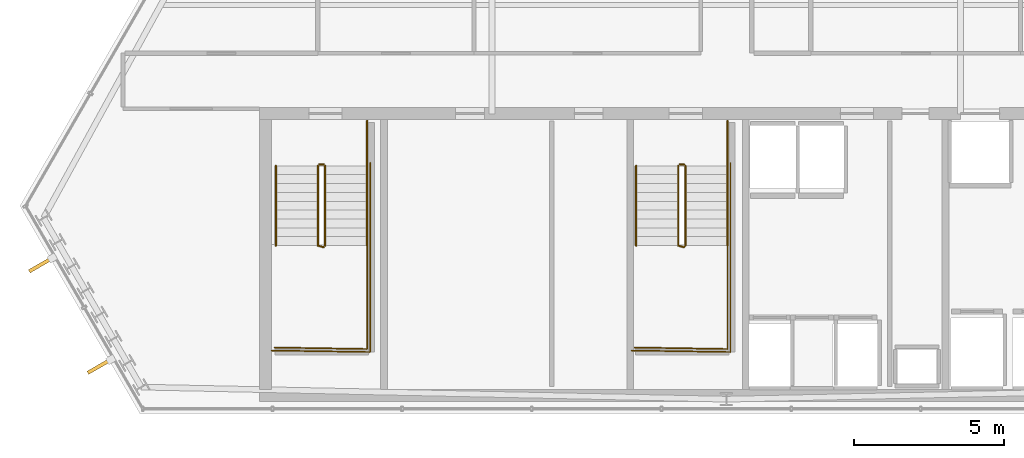
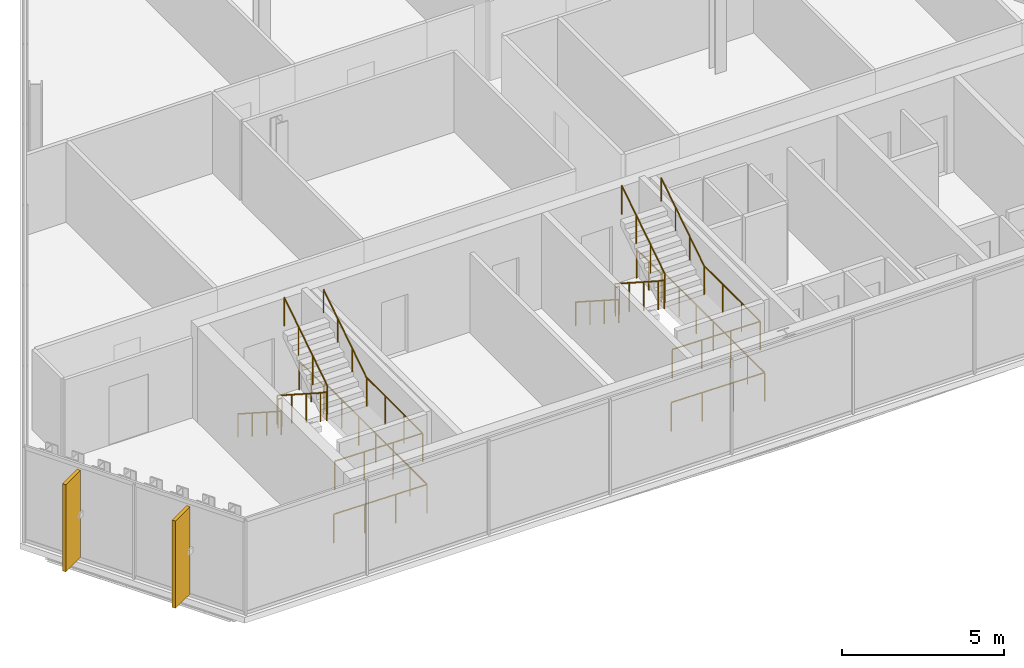
# One storey, part 27 of 30: 16 railings, 2 shading devices.
"""IFC4 building model written with IfcOpenShell, lengths in metres."""

from ifc_helpers import new_model, si_unit, direction, frame, origin, origin_2d, place, context, subcontext, project, spatial, rectangle, circle, extrude, material, layer, layer_set, type_object, element, save


model = new_model("IFC4")

# Units and contexts
model_context = context("Model", 3, precision=1e-05, world=origin(), true_north=direction((0.0, 1.0)))
body_context = subcontext(model_context, "Body", "Model", "MODEL_VIEW")
ifc_project = project(units=[si_unit("LENGTHUNIT", "METRE"), si_unit("AREAUNIT", "SQUARE_METRE"), si_unit("VOLUMEUNIT", "CUBIC_METRE"), si_unit("PLANEANGLEUNIT", "RADIAN"), si_unit("MASSUNIT", "GRAM", prefix="KILO")], contexts=[model_context])

# Site, building, storey
site_placement = place(None, origin())
site = spatial("IfcSite", under=ifc_project, at=site_placement, CompositionType="ELEMENT")
building_placement = place(site_placement, origin())
building = spatial("IfcBuilding", under=site, at=building_placement, Name="Ndaravel Arena Tower", CompositionType="ELEMENT")
storey_placement = place(building_placement, frame((0.0, 0.0, 221.800048828125)))
storey = spatial("IfcBuildingStorey", under=building, at=storey_placement, Name="L53", CompositionType="ELEMENT", Elevation=221.800048828125)

# Railings
ifc_material_1 = material(Name="Steel S355", Category="steel")
ifc_layer_1 = layer(ifc_material_1, 0.06005859375)
ifc_layer_set_1 = layer_set([ifc_layer_1], Name="Steel S355")
railing_type_1 = type_object("IfcRailingType", Name="RAIL-STAIR-GD1100", PredefinedType="GUARDRAIL", material=ifc_layer_set_1)
railing_1_placement = place(storey_placement, frame((28.39990234375, 13.25, 0.18994140625)))
element("IfcRailing", 1, at=railing_1_placement, inside=storey, type_object=railing_type_1, Name="L53 ST-1 stair guard 1", PredefinedType="GUARDRAIL", context=body_context, shape_type="SweptSolid", body=[
    extrude(circle(Radius=0.02392578125, at=origin_2d()), frame((0.0, 0.0, 1.076171875), z_axis=(0.0, -0.840723540582, 0.54146461409), x_axis=(1.0, 0.0, 0.0)), (0.0, 0.0, 1.0), 3.157958984375),
    extrude(circle(Radius=0.02392578125, at=origin_2d()), frame((0.0, -2.655029296875, 2.7861328125), z_axis=(0.967074537263, -0.25449329928, 0.0), x_axis=(0.25449329928, 0.967074537263, 0.0)), (0.0, 0.0, 1.0), 0.19677734375),
    extrude(circle(Radius=0.02099609375, at=origin_2d()), origin(), (0.0, 0.0, 1.0), 1.052001953125),
    extrude(circle(Radius=0.02099609375, at=origin_2d()), frame((0.0, -0.885009765625, 0.570068359375)), (0.0, 0.0, 1.0), 1.052001953125),
    extrude(circle(Radius=0.02099609375, at=origin_2d()), frame((0.0, -1.77001953125, 1.139892578125)), (0.0, 0.0, 1.0), 1.052001953125),
    extrude(circle(Radius=0.02099609375, at=origin_2d()), frame((0.0, -2.655029296875, 1.7099609375)), (0.0, 0.0, 1.0), 1.052001953125),
    extrude(circle(Radius=0.02099609375, at=origin_2d()), frame((0.190185546875, -2.705078125, 1.7099609375)), (0.0, 0.0, 1.0), 1.052001953125),
])
railing_2_placement = place(storey_placement, frame((30.0400390625, 10.594970703125, 1.89990234375)))
element("IfcRailing", 2, at=railing_2_placement, inside=storey, type_object=railing_type_1, Name="L53 ST-1 stair guard 2", PredefinedType="GUARDRAIL", context=body_context, shape_type="SweptSolid", body=[
    extrude(circle(Radius=0.02392578125, at=origin_2d()), frame((0.0, 0.0, 1.076171875), z_axis=(0.0, -1.0, 0.0), x_axis=(1.0, 0.0, 0.0)), (0.0, 0.0, 1.0), 3.445068359375),
    extrude(circle(Radius=0.02392578125, at=origin_2d()), frame((0.0, -3.445068359375, 1.076171875), z_axis=(-0.999868861343, 0.016194447071, 0.0), x_axis=(-0.016194447071, -0.999868861343, 0.0)), (0.0, 0.0, 1.0), 3.090576171875),
    extrude(circle(Radius=0.02099609375, at=origin_2d()), origin(), (0.0, 0.0, 1.0), 1.052001953125),
    extrude(circle(Radius=0.02099609375, at=origin_2d()), frame((0.0, -1.1484375, 0.0)), (0.0, 0.0, 1.0), 1.052001953125),
    extrude(circle(Radius=0.02099609375, at=origin_2d()), frame((0.0, -2.296630859375, 0.0)), (0.0, 0.0, 1.0), 1.052001953125),
    extrude(circle(Radius=0.02099609375, at=origin_2d()), frame((0.0, -3.445068359375, 0.0)), (0.0, 0.0, 1.0), 1.052001953125),
    extrude(circle(Radius=0.02099609375, at=origin_2d()), frame((-1.030029296875, -3.428466796875, 0.0)), (0.0, 0.0, 1.0), 1.052001953125),
    extrude(circle(Radius=0.02099609375, at=origin_2d()), frame((-2.06005859375, -3.41162109375, 0.0)), (0.0, 0.0, 1.0), 1.052001953125),
    extrude(circle(Radius=0.02099609375, at=origin_2d()), frame((-3.090087890625, -3.39501953125, 0.0)), (0.0, 0.0, 1.0), 1.052001953125),
])
railing_3_placement = place(storey_placement, frame((28.639892578125, 10.594970703125, 2.08984375)))
element("IfcRailing", 3, at=railing_3_placement, inside=storey, type_object=railing_type_1, Name="L53 ST-1 stair guard 3", PredefinedType="GUARDRAIL", context=body_context, shape_type="SweptSolid", body=[
    extrude(circle(Radius=0.02392578125, at=origin_2d()), frame((0.0, 0.0, 1.076171875), z_axis=(0.0, 0.840688348013, 0.541519253134), x_axis=(-1.0, 0.0, 0.0)), (0.0, 0.0, 1.0), 3.158203125),
    extrude(circle(Radius=0.02099609375, at=origin_2d()), origin(), (0.0, 0.0, 1.0), 1.052001953125),
    extrude(circle(Radius=0.02099609375, at=origin_2d()), frame((0.0, 0.885009765625, 0.570068359375)), (0.0, 0.0, 1.0), 1.052001953125),
    extrude(circle(Radius=0.02099609375, at=origin_2d()), frame((0.0, 1.77001953125, 1.14013671875)), (0.0, 0.0, 1.0), 1.052001953125),
    extrude(circle(Radius=0.02099609375, at=origin_2d()), frame((0.0, 2.655029296875, 1.710205078125)), (0.0, 0.0, 1.0), 1.052001953125),
])
railing_4_placement = place(storey_placement, frame((28.449951171875, 13.300048828125, 0.0)))
element("IfcRailing", 4, at=railing_4_placement, inside=storey, type_object=railing_type_1, Name="L53 ST-1 stair guard 4", PredefinedType="GUARDRAIL", context=body_context, shape_type="SweptSolid", body=[
    extrude(circle(Radius=0.02392578125, at=origin_2d()), frame((0.0, 0.0, 1.076171875), z_axis=(1.0, 0.0, 0.0), x_axis=(0.0, 1.0, 0.0)), (0.0, 0.0, 1.0), 0.14013671875),
    extrude(circle(Radius=0.02099609375, at=origin_2d()), origin(), (0.0, 0.0, 1.0), 1.052001953125),
    extrude(circle(Radius=0.02099609375, at=origin_2d()), frame((0.14013671875, 0.0, 0.0)), (0.0, 0.0, 1.0), 1.052001953125),
])
railing_5_placement = place(storey_placement, frame((30.0400390625, 14.75, 0.0)))
element("IfcRailing", 5, at=railing_5_placement, inside=storey, type_object=railing_type_1, Name="L53 ST-1 stair guard 5", PredefinedType="GUARDRAIL", context=body_context, shape_type="SweptSolid", body=[
    extrude(circle(Radius=0.02392578125, at=origin_2d()), frame((0.0, 0.0, 1.076171875), z_axis=(0.0, -1.0, 0.0), x_axis=(1.0, 0.0, 0.0)), (0.0, 0.0, 1.0), 1.5),
    extrude(circle(Radius=0.02099609375, at=origin_2d()), origin(), (0.0, 0.0, 1.0), 1.052001953125),
    extrude(circle(Radius=0.02099609375, at=origin_2d()), frame((0.0, -0.75, 0.0)), (0.0, 0.0, 1.0), 1.052001953125),
    extrude(circle(Radius=0.02099609375, at=origin_2d()), frame((0.0, -1.5, 0.0)), (0.0, 0.0, 1.0), 1.052001953125),
])
railing_6_placement = place(storey_placement, frame((30.139892578125, 13.35009765625, 0.0)))
element("IfcRailing", 6, at=railing_6_placement, inside=storey, type_object=railing_type_1, Name="L53 ST-1 stair guard 6", PredefinedType="GUARDRAIL", context=body_context, shape_type="SweptSolid", body=[
    extrude(circle(Radius=0.02392578125, at=origin_2d()), frame((0.0, 0.0, 1.076171875), z_axis=(0.0, -1.0, 0.0), x_axis=(1.0, 0.0, 0.0)), (0.0, 0.0, 1.0), 6.300048828125),
    extrude(circle(Radius=0.02392578125, at=origin_2d()), frame((0.0, -6.300048828125, 1.076171875), z_axis=(-0.999884296952, 0.015211597839, 0.0), x_axis=(-0.015211597839, -0.999884296952, 0.0)), (0.0, 0.0, 1.0), 3.290283203125),
    extrude(circle(Radius=0.02099609375, at=origin_2d()), origin(), (0.0, 0.0, 1.0), 1.052001953125),
    extrude(circle(Radius=0.02099609375, at=origin_2d()), frame((0.0, -1.050048828125, 0.0)), (0.0, 0.0, 1.0), 1.052001953125),
    extrude(circle(Radius=0.02099609375, at=origin_2d()), frame((0.0, -2.10009765625, 0.0)), (0.0, 0.0, 1.0), 1.052001953125),
    extrude(circle(Radius=0.02099609375, at=origin_2d()), frame((0.0, -3.14990234375, 0.0)), (0.0, 0.0, 1.0), 1.052001953125),
    extrude(circle(Radius=0.02099609375, at=origin_2d()), frame((0.0, -4.199951171875, 0.0)), (0.0, 0.0, 1.0), 1.052001953125),
    extrude(circle(Radius=0.02099609375, at=origin_2d()), frame((0.0, -5.25, 0.0)), (0.0, 0.0, 1.0), 1.052001953125),
    extrude(circle(Radius=0.02099609375, at=origin_2d()), frame((0.0, -6.300048828125, 0.0)), (0.0, 0.0, 1.0), 1.052001953125),
    extrude(circle(Radius=0.02099609375, at=origin_2d()), frame((-1.0966796875, -6.283447265625, 0.0)), (0.0, 0.0, 1.0), 1.052001953125),
    extrude(circle(Radius=0.02099609375, at=origin_2d()), frame((-2.193115234375, -6.2666015625, 0.0)), (0.0, 0.0, 1.0), 1.052001953125),
    extrude(circle(Radius=0.02099609375, at=origin_2d()), frame((-3.289794921875, -6.25, 0.0)), (0.0, 0.0, 1.0), 1.052001953125),
])
railing_7_placement = place(storey_placement, frame((40.39990234375, 13.25, 0.18994140625)))
element("IfcRailing", 7, at=railing_7_placement, inside=storey, type_object=railing_type_1, Name="L53 ST-2 stair guard 1", PredefinedType="GUARDRAIL", context=body_context, shape_type="SweptSolid", body=[
    extrude(circle(Radius=0.02392578125, at=origin_2d()), frame((0.0, 0.0, 1.076171875), z_axis=(0.0, -0.840723540582, 0.54146461409), x_axis=(1.0, 0.0, 0.0)), (0.0, 0.0, 1.0), 3.157958984375),
    extrude(circle(Radius=0.02392578125, at=origin_2d()), frame((0.0, -2.655029296875, 2.7861328125), z_axis=(0.967074537263, -0.25449329928, 0.0), x_axis=(0.25449329928, 0.967074537263, 0.0)), (0.0, 0.0, 1.0), 0.19677734375),
    extrude(circle(Radius=0.02099609375, at=origin_2d()), origin(), (0.0, 0.0, 1.0), 1.052001953125),
    extrude(circle(Radius=0.02099609375, at=origin_2d()), frame((0.0, -0.885009765625, 0.570068359375)), (0.0, 0.0, 1.0), 1.052001953125),
    extrude(circle(Radius=0.02099609375, at=origin_2d()), frame((0.0, -1.77001953125, 1.139892578125)), (0.0, 0.0, 1.0), 1.052001953125),
    extrude(circle(Radius=0.02099609375, at=origin_2d()), frame((0.0, -2.655029296875, 1.7099609375)), (0.0, 0.0, 1.0), 1.052001953125),
    extrude(circle(Radius=0.02099609375, at=origin_2d()), frame((0.190185546875, -2.705078125, 1.7099609375)), (0.0, 0.0, 1.0), 1.052001953125),
])
railing_8_placement = place(storey_placement, frame((42.0400390625, 10.594970703125, 1.89990234375)))
element("IfcRailing", 8, at=railing_8_placement, inside=storey, type_object=railing_type_1, Name="L53 ST-2 stair guard 2", PredefinedType="GUARDRAIL", context=body_context, shape_type="SweptSolid", body=[
    extrude(circle(Radius=0.02392578125, at=origin_2d()), frame((0.0, 0.0, 1.076171875), z_axis=(0.0, -1.0, 0.0), x_axis=(1.0, 0.0, 0.0)), (0.0, 0.0, 1.0), 3.445068359375),
    extrude(circle(Radius=0.02392578125, at=origin_2d()), frame((0.0, -3.445068359375, 1.076171875), z_axis=(-0.999868861343, 0.016194447071, 0.0), x_axis=(-0.016194447071, -0.999868861343, 0.0)), (0.0, 0.0, 1.0), 3.090576171875),
    extrude(circle(Radius=0.02099609375, at=origin_2d()), origin(), (0.0, 0.0, 1.0), 1.052001953125),
    extrude(circle(Radius=0.02099609375, at=origin_2d()), frame((0.0, -1.1484375, 0.0)), (0.0, 0.0, 1.0), 1.052001953125),
    extrude(circle(Radius=0.02099609375, at=origin_2d()), frame((0.0, -2.296630859375, 0.0)), (0.0, 0.0, 1.0), 1.052001953125),
    extrude(circle(Radius=0.02099609375, at=origin_2d()), frame((0.0, -3.445068359375, 0.0)), (0.0, 0.0, 1.0), 1.052001953125),
    extrude(circle(Radius=0.02099609375, at=origin_2d()), frame((-1.030029296875, -3.428466796875, 0.0)), (0.0, 0.0, 1.0), 1.052001953125),
    extrude(circle(Radius=0.02099609375, at=origin_2d()), frame((-2.06005859375, -3.41162109375, 0.0)), (0.0, 0.0, 1.0), 1.052001953125),
    extrude(circle(Radius=0.02099609375, at=origin_2d()), frame((-3.090087890625, -3.39501953125, 0.0)), (0.0, 0.0, 1.0), 1.052001953125),
])
railing_9_placement = place(storey_placement, frame((40.639892578125, 10.594970703125, 2.08984375)))
element("IfcRailing", 9, at=railing_9_placement, inside=storey, type_object=railing_type_1, Name="L53 ST-2 stair guard 3", PredefinedType="GUARDRAIL", context=body_context, shape_type="SweptSolid", body=[
    extrude(circle(Radius=0.02392578125, at=origin_2d()), frame((0.0, 0.0, 1.076171875), z_axis=(0.0, 0.840688348013, 0.541519253134), x_axis=(-1.0, 0.0, 0.0)), (0.0, 0.0, 1.0), 3.158203125),
    extrude(circle(Radius=0.02099609375, at=origin_2d()), origin(), (0.0, 0.0, 1.0), 1.052001953125),
    extrude(circle(Radius=0.02099609375, at=origin_2d()), frame((0.0, 0.885009765625, 0.570068359375)), (0.0, 0.0, 1.0), 1.052001953125),
    extrude(circle(Radius=0.02099609375, at=origin_2d()), frame((0.0, 1.77001953125, 1.14013671875)), (0.0, 0.0, 1.0), 1.052001953125),
    extrude(circle(Radius=0.02099609375, at=origin_2d()), frame((0.0, 2.655029296875, 1.710205078125)), (0.0, 0.0, 1.0), 1.052001953125),
])
railing_10_placement = place(storey_placement, frame((40.449951171875, 13.300048828125, 0.0)))
element("IfcRailing", 10, at=railing_10_placement, inside=storey, type_object=railing_type_1, Name="L53 ST-2 stair guard 4", PredefinedType="GUARDRAIL", context=body_context, shape_type="SweptSolid", body=[
    extrude(circle(Radius=0.02392578125, at=origin_2d()), frame((0.0, 0.0, 1.076171875), z_axis=(1.0, 0.0, 0.0), x_axis=(0.0, 1.0, 0.0)), (0.0, 0.0, 1.0), 0.14013671875),
    extrude(circle(Radius=0.02099609375, at=origin_2d()), origin(), (0.0, 0.0, 1.0), 1.052001953125),
    extrude(circle(Radius=0.02099609375, at=origin_2d()), frame((0.14013671875, 0.0, 0.0)), (0.0, 0.0, 1.0), 1.052001953125),
])
railing_11_placement = place(storey_placement, frame((42.0400390625, 14.75, 0.0)))
element("IfcRailing", 11, at=railing_11_placement, inside=storey, type_object=railing_type_1, Name="L53 ST-2 stair guard 5", PredefinedType="GUARDRAIL", context=body_context, shape_type="SweptSolid", body=[
    extrude(circle(Radius=0.02392578125, at=origin_2d()), frame((0.0, 0.0, 1.076171875), z_axis=(0.0, -1.0, 0.0), x_axis=(1.0, 0.0, 0.0)), (0.0, 0.0, 1.0), 1.5),
    extrude(circle(Radius=0.02099609375, at=origin_2d()), origin(), (0.0, 0.0, 1.0), 1.052001953125),
    extrude(circle(Radius=0.02099609375, at=origin_2d()), frame((0.0, -0.75, 0.0)), (0.0, 0.0, 1.0), 1.052001953125),
    extrude(circle(Radius=0.02099609375, at=origin_2d()), frame((0.0, -1.5, 0.0)), (0.0, 0.0, 1.0), 1.052001953125),
])
railing_12_placement = place(storey_placement, frame((42.139892578125, 13.35009765625, 0.0)))
element("IfcRailing", 12, at=railing_12_placement, inside=storey, type_object=railing_type_1, Name="L53 ST-2 stair guard 6", PredefinedType="GUARDRAIL", context=body_context, shape_type="SweptSolid", body=[
    extrude(circle(Radius=0.02392578125, at=origin_2d()), frame((0.0, 0.0, 1.076171875), z_axis=(0.0, -1.0, 0.0), x_axis=(1.0, 0.0, 0.0)), (0.0, 0.0, 1.0), 6.300048828125),
    extrude(circle(Radius=0.02392578125, at=origin_2d()), frame((0.0, -6.300048828125, 1.076171875), z_axis=(-0.999884296952, 0.015211597839, 0.0), x_axis=(-0.015211597839, -0.999884296952, 0.0)), (0.0, 0.0, 1.0), 3.290283203125),
    extrude(circle(Radius=0.02099609375, at=origin_2d()), origin(), (0.0, 0.0, 1.0), 1.052001953125),
    extrude(circle(Radius=0.02099609375, at=origin_2d()), frame((0.0, -1.050048828125, 0.0)), (0.0, 0.0, 1.0), 1.052001953125),
    extrude(circle(Radius=0.02099609375, at=origin_2d()), frame((0.0, -2.10009765625, 0.0)), (0.0, 0.0, 1.0), 1.052001953125),
    extrude(circle(Radius=0.02099609375, at=origin_2d()), frame((0.0, -3.14990234375, 0.0)), (0.0, 0.0, 1.0), 1.052001953125),
    extrude(circle(Radius=0.02099609375, at=origin_2d()), frame((0.0, -4.199951171875, 0.0)), (0.0, 0.0, 1.0), 1.052001953125),
    extrude(circle(Radius=0.02099609375, at=origin_2d()), frame((0.0, -5.25, 0.0)), (0.0, 0.0, 1.0), 1.052001953125),
    extrude(circle(Radius=0.02099609375, at=origin_2d()), frame((0.0, -6.300048828125, 0.0)), (0.0, 0.0, 1.0), 1.052001953125),
    extrude(circle(Radius=0.02099609375, at=origin_2d()), frame((-1.0966796875, -6.283447265625, 0.0)), (0.0, 0.0, 1.0), 1.052001953125),
    extrude(circle(Radius=0.02099609375, at=origin_2d()), frame((-2.193115234375, -6.2666015625, 0.0)), (0.0, 0.0, 1.0), 1.052001953125),
    extrude(circle(Radius=0.02099609375, at=origin_2d()), frame((-3.289794921875, -6.25, 0.0)), (0.0, 0.0, 1.0), 1.052001953125),
])
ifc_material_2 = material(Name="Steel S355", Category="steel")
ifc_layer_2 = layer(ifc_material_2, 0.050048828125)
ifc_layer_set_2 = layer_set([ifc_layer_2], Name="Steel S355")
railing_type_2 = type_object("IfcRailingType", Name="RAIL-STAIR-HR920", PredefinedType="HANDRAIL", material=ifc_layer_set_2)
railing_13_placement = place(storey_placement, frame((27.0, 13.25, 0.18994140625)))
element("IfcRailing", 13, at=railing_13_placement, inside=storey, type_object=railing_type_2, Name="L53 ST-1 stair handrail 1", PredefinedType="HANDRAIL", context=body_context, shape_type="SweptSolid", body=[
    extrude(circle(Radius=0.02392578125, at=origin_2d()), frame((0.0, 0.0, 0.8759765625), z_axis=(0.0, -0.840723540582, 0.54146461409), x_axis=(1.0, 0.0, 0.0)), (0.0, 0.0, 1.0), 3.157958984375),
    extrude(circle(Radius=0.02099609375, at=origin_2d()), origin(), (0.0, 0.0, 1.0), 0.851806640625),
    extrude(circle(Radius=0.02099609375, at=origin_2d()), frame((0.0, -0.885009765625, 0.570068359375)), (0.0, 0.0, 1.0), 0.851806640625),
    extrude(circle(Radius=0.02099609375, at=origin_2d()), frame((0.0, -1.77001953125, 1.139892578125)), (0.0, 0.0, 1.0), 0.851806640625),
    extrude(circle(Radius=0.02099609375, at=origin_2d()), frame((0.0, -2.655029296875, 1.7099609375)), (0.0, 0.0, 1.0), 0.851806640625),
])
railing_14_placement = place(storey_placement, frame((30.0400390625, 10.594970703125, 2.08984375)))
element("IfcRailing", 14, at=railing_14_placement, inside=storey, type_object=railing_type_2, Name="L53 ST-1 stair handrail 2", PredefinedType="HANDRAIL", context=body_context, shape_type="SweptSolid", body=[
    extrude(circle(Radius=0.02392578125, at=origin_2d()), frame((0.0, 0.0, 0.8759765625), z_axis=(0.0, 0.840688348013, 0.541519253134), x_axis=(-1.0, 0.0, 0.0)), (0.0, 0.0, 1.0), 3.158203125),
    extrude(circle(Radius=0.02099609375, at=origin_2d()), origin(), (0.0, 0.0, 1.0), 0.851806640625),
    extrude(circle(Radius=0.02099609375, at=origin_2d()), frame((0.0, 0.885009765625, 0.570068359375)), (0.0, 0.0, 1.0), 0.851806640625),
    extrude(circle(Radius=0.02099609375, at=origin_2d()), frame((0.0, 1.77001953125, 1.14013671875)), (0.0, 0.0, 1.0), 0.851806640625),
    extrude(circle(Radius=0.02099609375, at=origin_2d()), frame((0.0, 2.655029296875, 1.710205078125)), (0.0, 0.0, 1.0), 0.851806640625),
])
railing_15_placement = place(storey_placement, frame((39.0, 13.25, 0.18994140625)))
element("IfcRailing", 15, at=railing_15_placement, inside=storey, type_object=railing_type_2, Name="L53 ST-2 stair handrail 1", PredefinedType="HANDRAIL", context=body_context, shape_type="SweptSolid", body=[
    extrude(circle(Radius=0.02392578125, at=origin_2d()), frame((0.0, 0.0, 0.8759765625), z_axis=(0.0, -0.840723540582, 0.54146461409), x_axis=(1.0, 0.0, 0.0)), (0.0, 0.0, 1.0), 3.157958984375),
    extrude(circle(Radius=0.02099609375, at=origin_2d()), origin(), (0.0, 0.0, 1.0), 0.851806640625),
    extrude(circle(Radius=0.02099609375, at=origin_2d()), frame((0.0, -0.885009765625, 0.570068359375)), (0.0, 0.0, 1.0), 0.851806640625),
    extrude(circle(Radius=0.02099609375, at=origin_2d()), frame((0.0, -1.77001953125, 1.139892578125)), (0.0, 0.0, 1.0), 0.851806640625),
    extrude(circle(Radius=0.02099609375, at=origin_2d()), frame((0.0, -2.655029296875, 1.7099609375)), (0.0, 0.0, 1.0), 0.851806640625),
])
railing_16_placement = place(storey_placement, frame((42.0400390625, 10.594970703125, 2.08984375)))
element("IfcRailing", 16, at=railing_16_placement, inside=storey, type_object=railing_type_2, Name="L53 ST-2 stair handrail 2", PredefinedType="HANDRAIL", context=body_context, shape_type="SweptSolid", body=[
    extrude(circle(Radius=0.02392578125, at=origin_2d()), frame((0.0, 0.0, 0.8759765625), z_axis=(0.0, 0.840688348013, 0.541519253134), x_axis=(-1.0, 0.0, 0.0)), (0.0, 0.0, 1.0), 3.158203125),
    extrude(circle(Radius=0.02099609375, at=origin_2d()), origin(), (0.0, 0.0, 1.0), 0.851806640625),
    extrude(circle(Radius=0.02099609375, at=origin_2d()), frame((0.0, 0.885009765625, 0.570068359375)), (0.0, 0.0, 1.0), 0.851806640625),
    extrude(circle(Radius=0.02099609375, at=origin_2d()), frame((0.0, 1.77001953125, 1.14013671875)), (0.0, 0.0, 1.0), 0.851806640625),
    extrude(circle(Radius=0.02099609375, at=origin_2d()), frame((0.0, 2.655029296875, 1.710205078125)), (0.0, 0.0, 1.0), 0.851806640625),
])

# Shading devices
ifc_material_3 = material(Name="Masonry", Category="masonry")
shading_device_type = type_object("IfcShadingDeviceType", Name="SHD-MAZERAS-FIN", PredefinedType="SHUTTER", material=ifc_material_3)
for number, where, z_axis, x_axis, name in (
    (17, (19.177978515625, 9.961669921875, 0.14990234375), (0.0, 0.0, 1.0), (-0.866025403784, -0.5, 0.0), "L53 Mazeras Stone Solar Fin E6.1"),
    (18, (21.12890625, 6.58251953125, 0.14990234375), (0.0, 0.0, 1.0), (-0.866025403784, -0.5, 0.0), "L53 Mazeras Stone Solar Fin E6.2"),
):
    element("IfcShadingDevice", number, at=place(storey_placement, frame(where, z_axis=z_axis, x_axis=x_axis)), inside=storey, type_object=shading_device_type, Name=name, PredefinedType="SHUTTER", context=body_context, shape_type="SweptSolid", body=[
        extrude(rectangle(XDim=0.89990234375, YDim=0.1201171875, at=origin_2d()), origin(), (0.0, 0.0, 1.0), 3.280029296875),
    ])

save(model, "model.ifc")
